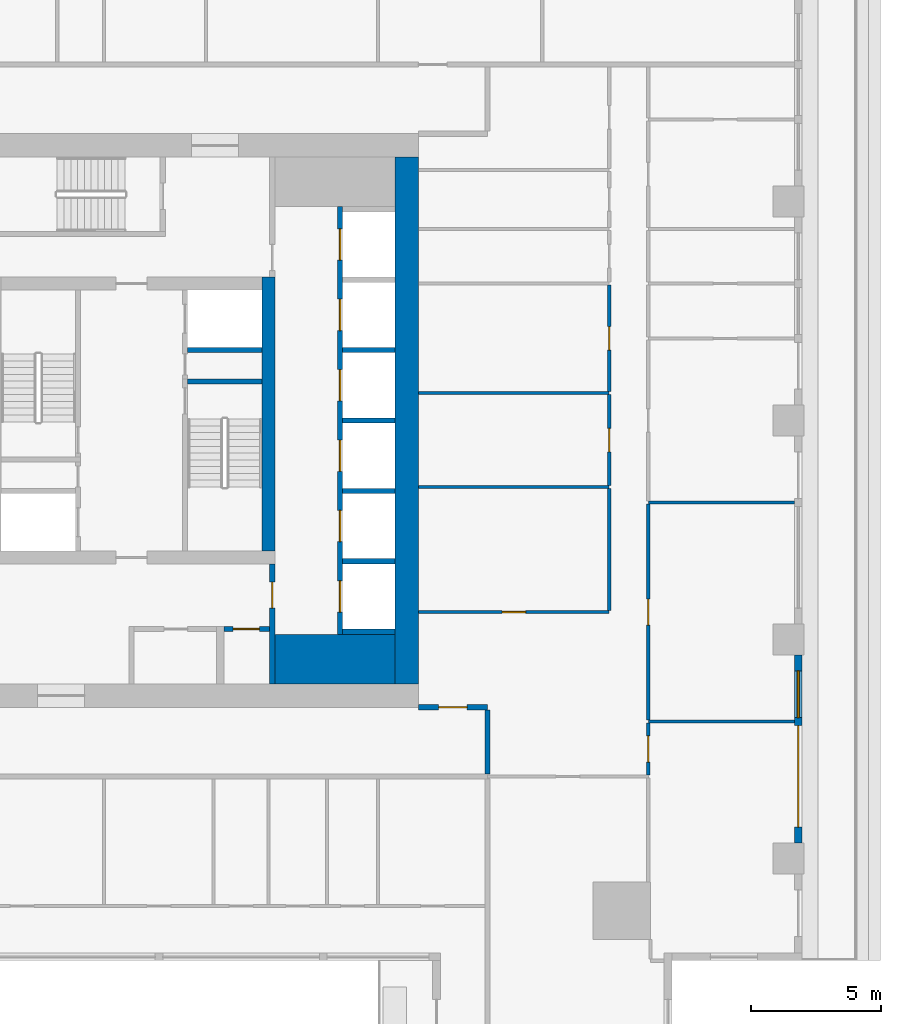
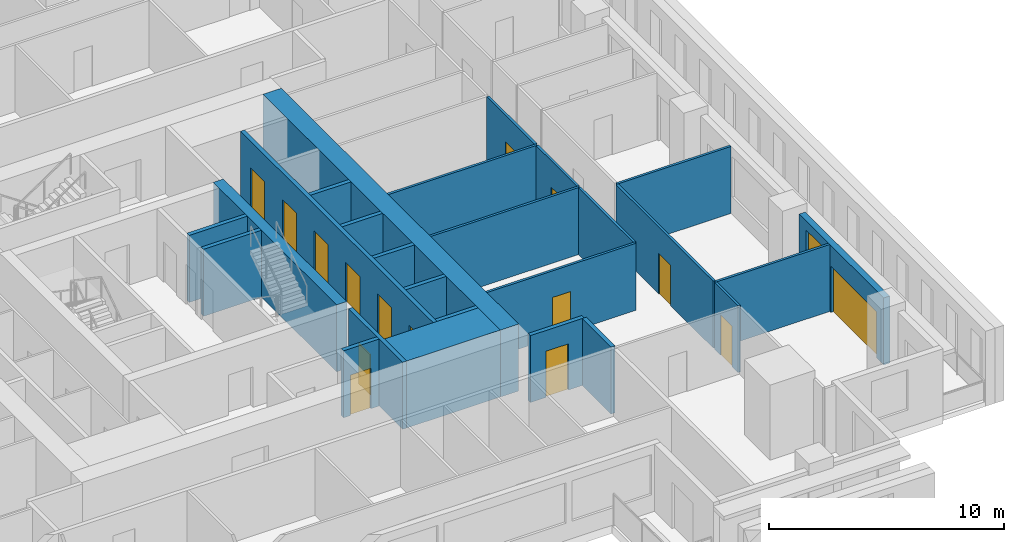
# One storey, part 5 of 14: 26 walls, 15 doors, 1 window, 16 openings.
"""IFC4 building model written with IfcOpenShell, lengths in metres."""

from ifc_helpers import new_model, si_unit, direction, frame, frame_2d, origin, place, context, subcontext, project, spatial, rectangle, extrude, material, layer, layer_set, type_object, element, fill, save


model = new_model("IFC4")

# Units and contexts
model_context = context("Model", 3, precision=1e-05, world=origin(), true_north=direction((0.0, 1.0)))
body_context = subcontext(model_context, "Body", "Model", "MODEL_VIEW")
ifc_project = project(units=[si_unit("LENGTHUNIT", "METRE"), si_unit("AREAUNIT", "SQUARE_METRE"), si_unit("VOLUMEUNIT", "CUBIC_METRE"), si_unit("PLANEANGLEUNIT", "RADIAN"), si_unit("MASSUNIT", "GRAM", prefix="KILO")], contexts=[model_context])

# Site, building, storey
site_placement = place(None, origin())
site = spatial("IfcSite", under=ifc_project, at=site_placement, CompositionType="ELEMENT")
building_placement = place(site_placement, origin())
building = spatial("IfcBuilding", under=site, at=building_placement, Name="Khepri Terraces", CompositionType="ELEMENT")
storey_placement = place(building_placement, frame((0.0, 0.0, 271.800048828125)))
storey = spatial("IfcBuildingStorey", under=building, at=storey_placement, Name="L65", CompositionType="ELEMENT", Elevation=271.800048828125)

# Walls
ifc_material_1 = material(Name="Concrete C40/50", Category="concrete")
ifc_layer_1 = layer(ifc_material_1, 1.89990234375, Name="Concrete C40/50", Category="concrete")
ifc_layer_set_1 = layer_set([ifc_layer_1], Name="Concrete C40/50")
wall_type_1 = type_object("IfcWallType", Name="Core wall 1900 C40/50", PredefinedType="SHEAR", material=ifc_layer_set_1)
wall_1_placement = place(storey_placement, frame((5.5, -9.14990234375, 0.0), z_axis=(0.0, 0.0, 1.0), x_axis=(1.0, 0.0, 0.0)))
element("IfcWall", 1, at=wall_1_placement, inside=storey, type_object=wall_type_1, Name="Core wall PR02 L65", PredefinedType="SHEAR", context=body_context, shape_type="SweptSolid", body=[
    extrude(rectangle(XDim=4.60009765625, YDim=1.89990234375, at=frame_2d((2.300048828125, 0.0))), origin(), (0.0, 0.0, 1.0), 3.47998046875),
])
ifc_layer_2 = layer(ifc_material_1, 0.199951171875, Name="Concrete C40/50", Category="concrete")
ifc_layer_set_2 = layer_set([ifc_layer_2], Name="Concrete C40/50")
wall_type_2 = type_object("IfcWallType", Name="Core wall 200 C40/50", PredefinedType="SHEAR", material=ifc_layer_set_2)
wall_2_placement = place(storey_placement, frame((2.14990234375, 1.5, 0.0), z_axis=(0.0, 0.0, 1.0), x_axis=(1.0, 0.0, 0.0)))
element("IfcWall", 2, at=wall_2_placement, inside=storey, type_object=wall_type_2, Name="Core wall ST04 L65", PredefinedType="SHEAR", context=body_context, shape_type="SweptSolid", body=[
    extrude(rectangle(XDim=2.85009765625, YDim=0.199951171875, at=frame_2d((1.425048828125, 0.0))), origin(), (0.0, 0.0, 1.0), 3.47998046875),
])

# Wall, openings, doors
wall_3_placement = place(storey_placement, frame((8.0, -8.199951171875, 0.0), z_axis=(0.0, 0.0, 1.0), x_axis=(0.0, 1.0, 0.0)))
wall_3 = element("IfcWall", 3, at=wall_3_placement, inside=storey, type_object=wall_type_2, Name="Core wall SH02 L65", PredefinedType="SHEAR", context=body_context, shape_type="SweptSolid", body=[
    extrude(rectangle(XDim=16.39990234375, YDim=0.199951171875, at=frame_2d((8.199951171875, 0.0))), origin(), (0.0, 0.0, 1.0), 3.47998046875),
])
opening_1_placement = place(wall_3_placement, frame((0.85009765625, 0.0, 0.0)))
opening_1 = element("IfcOpeningElement", 4, at=opening_1_placement, cuts=wall_3, Name="Opening L65-C01", PredefinedType="OPENING", context=body_context, shape_type="SweptSolid", body=[
    extrude(rectangle(XDim=1.199951171875, YDim=2.10009765625, at=frame_2d((0.60009765625, 1.050048828125))), frame((0.0, 0.10986328125, 0.0), z_axis=(0.0, -1.0, 0.0), x_axis=(1.0, 0.0, 0.0)), (0.0, 0.0, 1.0), 0.219970703125),
])
opening_2_placement = place(wall_3_placement, frame((3.550048828125, 0.0, 0.0)))
opening_2 = element("IfcOpeningElement", 5, at=opening_2_placement, cuts=wall_3, Name="Opening L65-C02", PredefinedType="OPENING", context=body_context, shape_type="SweptSolid", body=[
    extrude(rectangle(XDim=1.199951171875, YDim=2.10009765625, at=frame_2d((0.60009765625, 1.050048828125))), frame((0.0, 0.10986328125, 0.0), z_axis=(0.0, -1.0, 0.0), x_axis=(1.0, 0.0, 0.0)), (0.0, 0.0, 1.0), 0.219970703125),
])
opening_3_placement = place(wall_3_placement, frame((6.25, 0.0, 0.0)))
opening_3 = element("IfcOpeningElement", 6, at=opening_3_placement, cuts=wall_3, Name="Opening L65-C03", PredefinedType="OPENING", context=body_context, shape_type="SweptSolid", body=[
    extrude(rectangle(XDim=1.199951171875, YDim=2.10009765625, at=frame_2d((0.60009765625, 1.050048828125))), frame((0.0, 0.10986328125, 0.0), z_axis=(0.0, -1.0, 0.0), x_axis=(1.0, 0.0, 0.0)), (0.0, 0.0, 1.0), 0.219970703125),
])
opening_4_placement = place(wall_3_placement, frame((8.949951171875, 0.0, 0.0)))
opening_4 = element("IfcOpeningElement", 7, at=opening_4_placement, cuts=wall_3, Name="Opening L65-C04", PredefinedType="OPENING", context=body_context, shape_type="SweptSolid", body=[
    extrude(rectangle(XDim=1.199951171875, YDim=2.10009765625, at=frame_2d((0.60009765625, 1.050048828125))), frame((0.0, 0.10986328125, 0.0), z_axis=(0.0, -1.0, 0.0), x_axis=(1.0, 0.0, 0.0)), (0.0, 0.0, 1.0), 0.219970703125),
])
opening_5_placement = place(wall_3_placement, frame((11.64990234375, 0.0, 0.0)))
opening_5 = element("IfcOpeningElement", 8, at=opening_5_placement, cuts=wall_3, Name="Opening L65-C05", PredefinedType="OPENING", context=body_context, shape_type="SweptSolid", body=[
    extrude(rectangle(XDim=1.199951171875, YDim=2.10009765625, at=frame_2d((0.60009765625, 1.050048828125))), frame((0.0, 0.10986328125, 0.0), z_axis=(0.0, -1.0, 0.0), x_axis=(1.0, 0.0, 0.0)), (0.0, 0.0, 1.0), 0.219970703125),
])
opening_6_placement = place(wall_3_placement, frame((14.35009765625, 0.0, 0.0)))
opening_6 = element("IfcOpeningElement", 9, at=opening_6_placement, cuts=wall_3, Name="Opening L65-C06", PredefinedType="OPENING", context=body_context, shape_type="SweptSolid", body=[
    extrude(rectangle(XDim=1.199951171875, YDim=2.10009765625, at=frame_2d((0.60009765625, 1.050048828125))), frame((0.0, 0.10986328125, 0.0), z_axis=(0.0, -1.0, 0.0), x_axis=(1.0, 0.0, 0.0)), (0.0, 0.0, 1.0), 0.219970703125),
])
ifc_material_2 = material(Name="Stainless steel 304", Category="steel")
door_type_1 = type_object("IfcDoorType", Name="DR-CORE-LANDING-1200", OperationType="NOTDEFINED", PredefinedType="DOOR", material=ifc_material_2)
door_1_placement = place(opening_1_placement, origin())
door_1 = element("IfcDoor", 10, at=door_1_placement, inside=storey, type_object=door_type_1, Name="Lift landing door L65-C01", OperationType="SLIDING_TO_LEFT", OverallHeight=2.10009765625, OverallWidth=1.199951171875, PredefinedType="DOOR", context=body_context, shape_type="SweptSolid", body=[
    extrude(rectangle(XDim=1.199951171875, YDim=2.10009765625, at=frame_2d((0.60009765625, 1.050048828125))), frame((0.0, 0.02490234375, 0.0), z_axis=(0.0, -1.0, 0.0), x_axis=(1.0, 0.0, 0.0)), (0.0, 0.0, 1.0), 0.050048828125),
])
fill(opening_1, door_1)
door_2_placement = place(opening_2_placement, origin())
door_2 = element("IfcDoor", 11, at=door_2_placement, inside=storey, type_object=door_type_1, Name="Lift landing door L65-C02", OperationType="SLIDING_TO_LEFT", OverallHeight=2.10009765625, OverallWidth=1.199951171875, PredefinedType="DOOR", context=body_context, shape_type="SweptSolid", body=[
    extrude(rectangle(XDim=1.199951171875, YDim=2.10009765625, at=frame_2d((0.60009765625, 1.050048828125))), frame((0.0, 0.02490234375, 0.0), z_axis=(0.0, -1.0, 0.0), x_axis=(1.0, 0.0, 0.0)), (0.0, 0.0, 1.0), 0.050048828125),
])
fill(opening_2, door_2)
door_3_placement = place(opening_3_placement, origin())
door_3 = element("IfcDoor", 12, at=door_3_placement, inside=storey, type_object=door_type_1, Name="Lift landing door L65-C03", OperationType="SLIDING_TO_LEFT", OverallHeight=2.10009765625, OverallWidth=1.199951171875, PredefinedType="DOOR", context=body_context, shape_type="SweptSolid", body=[
    extrude(rectangle(XDim=1.199951171875, YDim=2.10009765625, at=frame_2d((0.60009765625, 1.050048828125))), frame((0.0, 0.02490234375, 0.0), z_axis=(0.0, -1.0, 0.0), x_axis=(1.0, 0.0, 0.0)), (0.0, 0.0, 1.0), 0.050048828125),
])
fill(opening_3, door_3)
door_4_placement = place(opening_4_placement, origin())
door_4 = element("IfcDoor", 13, at=door_4_placement, inside=storey, type_object=door_type_1, Name="Lift landing door L65-C04", OperationType="SLIDING_TO_LEFT", OverallHeight=2.10009765625, OverallWidth=1.199951171875, PredefinedType="DOOR", context=body_context, shape_type="SweptSolid", body=[
    extrude(rectangle(XDim=1.199951171875, YDim=2.10009765625, at=frame_2d((0.60009765625, 1.050048828125))), frame((0.0, 0.02490234375, 0.0), z_axis=(0.0, -1.0, 0.0), x_axis=(1.0, 0.0, 0.0)), (0.0, 0.0, 1.0), 0.050048828125),
])
fill(opening_4, door_4)
door_5_placement = place(opening_5_placement, origin())
door_5 = element("IfcDoor", 14, at=door_5_placement, inside=storey, type_object=door_type_1, Name="Lift landing door L65-C05", OperationType="SLIDING_TO_LEFT", OverallHeight=2.10009765625, OverallWidth=1.199951171875, PredefinedType="DOOR", context=body_context, shape_type="SweptSolid", body=[
    extrude(rectangle(XDim=1.199951171875, YDim=2.10009765625, at=frame_2d((0.60009765625, 1.050048828125))), frame((0.0, 0.02490234375, 0.0), z_axis=(0.0, -1.0, 0.0), x_axis=(1.0, 0.0, 0.0)), (0.0, 0.0, 1.0), 0.050048828125),
])
fill(opening_5, door_5)
door_6_placement = place(opening_6_placement, origin())
door_6 = element("IfcDoor", 15, at=door_6_placement, inside=storey, type_object=door_type_1, Name="Lift landing door L65-C06", OperationType="SLIDING_TO_LEFT", OverallHeight=2.10009765625, OverallWidth=1.199951171875, PredefinedType="DOOR", context=body_context, shape_type="SweptSolid", body=[
    extrude(rectangle(XDim=1.199951171875, YDim=2.10009765625, at=frame_2d((0.60009765625, 1.050048828125))), frame((0.0, 0.02490234375, 0.0), z_axis=(0.0, -1.0, 0.0), x_axis=(1.0, 0.0, 0.0)), (0.0, 0.0, 1.0), 0.050048828125),
])
fill(opening_6, door_6)

# Walls
for number, where, z_axis, x_axis, name in (
    (16, (8.10009765625, -8.10009765625, 0.0), (0.0, 0.0, 1.0), (1.0, 0.0, 0.0), "Core wall SH03 L65"),
    (17, (8.10009765625, -5.39990234375, 0.0), (0.0, 0.0, 1.0), (1.0, 0.0, 0.0), "Core wall SH04 L65"),
    (18, (8.10009765625, -2.699951171875, 0.0), (0.0, 0.0, 1.0), (1.0, 0.0, 0.0), "Core wall SH08 L65"),
    (19, (8.10009765625, 0.0, 0.0), (0.0, 0.0, 1.0), (1.0, 0.0, 0.0), "Core wall SH09 L65"),
):
    element("IfcWall", number, at=place(storey_placement, frame(where, z_axis=z_axis, x_axis=x_axis)), inside=storey, type_object=wall_type_2, Name=name, PredefinedType="SHEAR", context=body_context, shape_type="SweptSolid", body=[
        extrude(rectangle(XDim=2.0, YDim=0.199951171875, at=frame_2d((1.0, 0.0))), origin(), (0.0, 0.0, 1.0), 3.47998046875),
    ])
wall_4_placement = place(storey_placement, frame((2.14990234375, 2.699951171875, 0.0), z_axis=(0.0, 0.0, 1.0), x_axis=(1.0, 0.0, 0.0)))
element("IfcWall", 20, at=wall_4_placement, inside=storey, type_object=wall_type_2, Name="Core wall SH12 L65", PredefinedType="SHEAR", context=body_context, shape_type="SweptSolid", body=[
    extrude(rectangle(XDim=2.85009765625, YDim=0.199951171875, at=frame_2d((1.425048828125, 0.0))), origin(), (0.0, 0.0, 1.0), 3.47998046875),
])
wall_5_placement = place(storey_placement, frame((8.10009765625, 2.699951171875, 0.0), z_axis=(0.0, 0.0, 1.0), x_axis=(1.0, 0.0, 0.0)))
element("IfcWall", 21, at=wall_5_placement, inside=storey, type_object=wall_type_2, Name="Core wall SH13 L65", PredefinedType="SHEAR", context=body_context, shape_type="SweptSolid", body=[
    extrude(rectangle(XDim=2.0, YDim=0.199951171875, at=frame_2d((1.0, 0.0))), origin(), (0.0, 0.0, 1.0), 3.47998046875),
])
ifc_layer_3 = layer(ifc_material_1, 0.5, Name="Concrete C40/50", Category="concrete")
ifc_layer_set_3 = layer_set([ifc_layer_3], Name="Concrete C40/50")
wall_type_3 = type_object("IfcWallType", Name="Core wall 500 C40/50", PredefinedType="SHEAR", material=ifc_layer_set_3)
wall_6_placement = place(storey_placement, frame((5.25, -5.0, 0.0), z_axis=(0.0, 0.0, 1.0), x_axis=(0.0, 1.0, 0.0)))
element("IfcWall", 22, at=wall_6_placement, inside=storey, type_object=wall_type_3, Name="Core wall BX03 L65", PredefinedType="SHEAR", context=body_context, shape_type="SweptSolid", body=[
    extrude(rectangle(XDim=10.5, YDim=0.5, at=frame_2d((5.25, 0.0))), origin(), (0.0, 0.0, 1.0), 3.47998046875),
])
ifc_layer_4 = layer(ifc_material_1, 0.89990234375, Name="Concrete C40/50", Category="concrete")
ifc_layer_set_4 = layer_set([ifc_layer_4], Name="Concrete C40/50")
wall_type_4 = type_object("IfcWallType", Name="Core wall 900 C40/50", PredefinedType="SHEAR", material=ifc_layer_set_4)
wall_7_placement = place(storey_placement, frame((10.550048828125, -10.10009765625, 0.0), z_axis=(0.0, 0.0, 1.0), x_axis=(0.0, 1.0, 0.0)))
element("IfcWall", 23, at=wall_7_placement, inside=storey, type_object=wall_type_4, Name="Core wall OW-E L65", PredefinedType="SHEAR", context=body_context, shape_type="SweptSolid", body=[
    extrude(rectangle(XDim=20.2001953125, YDim=0.89990234375, at=frame_2d((10.10009765625, 0.0))), origin(), (0.0, 0.0, 1.0), 3.47998046875),
])

# Wall, opening, door
ifc_material_3 = material(Name="Fire-rated gypsum board partition")
ifc_layer_5 = layer(ifc_material_3, 0.199951171875, Name="Fire-rated gypsum board partition")
ifc_layer_set_5 = layer_set([ifc_layer_5], Name="Fire-rated gypsum board partition")
wall_type_5 = type_object("IfcWallType", Name="WL-CORE-PART-200", PredefinedType="PARTITIONING", material=ifc_layer_set_5)
wall_8_placement = place(storey_placement, frame((5.39990234375, -10.10009765625, 0.0), z_axis=(0.0, 0.0, 1.0), x_axis=(0.0, 1.0, 0.0)))
wall_8 = element("IfcWall", 24, at=wall_8_placement, inside=storey, type_object=wall_type_5, Name="Core partition PT04 L65", PredefinedType="PARTITIONING", context=body_context, shape_type="SweptSolid", body=[
    extrude(rectangle(XDim=4.60009765625, YDim=0.199951171875, at=frame_2d((2.300048828125, 0.0))), origin(), (0.0, 0.0, 1.0), 3.47998046875),
])
opening_7_placement = place(wall_8_placement, frame((2.89990234375, 0.0, 0.0)))
opening_7 = element("IfcOpeningElement", 25, at=opening_7_placement, cuts=wall_8, Name="Opening L65-C19", PredefinedType="OPENING", context=body_context, shape_type="SweptSolid", body=[
    extrude(rectangle(XDim=1.0, YDim=2.10009765625, at=frame_2d((0.5, 1.050048828125))), frame((0.0, 0.10986328125, 0.0), z_axis=(0.0, -1.0, 0.0), x_axis=(1.0, 0.0, 0.0)), (0.0, 0.0, 1.0), 0.219970703125),
])
ifc_material_4 = material(Name="Painted steel", Category="steel")
door_type_2 = type_object("IfcDoorType", Name="DR-CORE-LOBBY-1000", OperationType="NOTDEFINED", PredefinedType="DOOR", material=ifc_material_4)
door_7_placement = place(opening_7_placement, origin())
door_7 = element("IfcDoor", 26, at=door_7_placement, inside=storey, type_object=door_type_2, Name="Lobby door L65-C19", OperationType="SINGLE_SWING_RIGHT", OverallHeight=2.10009765625, OverallWidth=1.0, PredefinedType="DOOR", context=body_context, shape_type="SweptSolid", body=[
    extrude(rectangle(XDim=1.0, YDim=2.10009765625, at=frame_2d((0.5, 1.050048828125))), frame((0.0, 0.02490234375, 0.0), z_axis=(0.0, -1.0, 0.0), x_axis=(1.0, 0.0, 0.0)), (0.0, 0.0, 1.0), 0.050048828125),
])
fill(opening_7, door_7)

wall_9_placement = place(storey_placement, frame((3.550048828125, -8.0, 0.0), z_axis=(0.0, 0.0, 1.0), x_axis=(1.0, 0.0, 0.0)))
wall_9 = element("IfcWall", 27, at=wall_9_placement, inside=storey, type_object=wall_type_5, Name="Core partition PT07 L65", PredefinedType="PARTITIONING", context=body_context, shape_type="SweptSolid", body=[
    extrude(rectangle(XDim=1.75, YDim=0.199951171875, at=frame_2d((0.875, 0.0))), origin(), (0.0, 0.0, 1.0), 3.47998046875),
])
opening_8_placement = place(wall_9_placement, frame((0.35009765625, 0.0, 0.0)))
opening_8 = element("IfcOpeningElement", 28, at=opening_8_placement, cuts=wall_9, Name="Opening L65-C23", PredefinedType="OPENING", context=body_context, shape_type="SweptSolid", body=[
    extrude(rectangle(XDim=1.0, YDim=2.10009765625, at=frame_2d((0.5, 1.050048828125))), frame((0.0, 0.10986328125, 0.0), z_axis=(0.0, -1.0, 0.0), x_axis=(1.0, 0.0, 0.0)), (0.0, 0.0, 1.0), 0.219970703125),
])
ifc_material_5 = material(Name="Timber veneer", Category="wood")
door_type_3 = type_object("IfcDoorType", Name="DR-CORE-WC-1000", OperationType="NOTDEFINED", PredefinedType="DOOR", material=ifc_material_5)
door_8_placement = place(opening_8_placement, frame((1.0, 0.0, 0.0), z_axis=(0.0, 0.0, 1.0), x_axis=(-1.0, 0.0, 0.0)))
door_8 = element("IfcDoor", 29, at=door_8_placement, inside=storey, type_object=door_type_3, Name="WC door L65-C23", OperationType="SINGLE_SWING_RIGHT", OverallHeight=2.10009765625, OverallWidth=1.0, PredefinedType="DOOR", context=body_context, shape_type="SweptSolid", body=[
    extrude(rectangle(XDim=1.0, YDim=2.10009765625, at=frame_2d((0.5, 1.050048828125))), frame((0.0, 0.02490234375, 0.0), z_axis=(0.0, -1.0, 0.0), x_axis=(1.0, 0.0, 0.0)), (0.0, 0.0, 1.0), 0.050048828125),
])
fill(opening_8, door_8)

# Wall
ifc_material_6 = material(Name="Fire-rated gypsum plasterboard partition, mineral wool")
ifc_layer_6 = layer(ifc_material_6, 0.199951171875, Name="Fire-rated gypsum plasterboard partition, mineral wool")
ifc_layer_set_6 = layer_set([ifc_layer_6], Name="Fire-rated gypsum plasterboard partition, mineral wool")
wall_type_6 = type_object("IfcWallType", Name="WL-CORR-200", PredefinedType="PARTITIONING", material=ifc_layer_set_6)
wall_10_placement = place(storey_placement, frame((13.64990234375, -13.550048828125, 0.0), z_axis=(0.0, 0.0, 1.0), x_axis=(0.0, 1.0, 0.0)))
element("IfcWall", 30, at=wall_10_placement, inside=storey, type_object=wall_type_6, Name="Partition P-022 L65", PredefinedType="PARTITIONING", context=body_context, shape_type="SweptSolid", body=[
    extrude(rectangle(XDim=2.449951171875, YDim=0.199951171875, at=frame_2d((1.22509765625, 0.0))), origin(), (0.0, 0.0, 1.0), 3.47998046875),
])

# Wall, opening, door
wall_11_placement = place(storey_placement, frame((11.0, -11.0, 0.0), z_axis=(0.0, 0.0, 1.0), x_axis=(1.0, 0.0, 0.0)))
wall_11 = element("IfcWall", 31, at=wall_11_placement, inside=storey, type_object=wall_type_6, Name="Partition P-030 L65", PredefinedType="PARTITIONING", context=body_context, shape_type="SweptSolid", body=[
    extrude(rectangle(XDim=2.64990234375, YDim=0.199951171875, at=frame_2d((1.324951171875, 0.0))), origin(), (0.0, 0.0, 1.0), 3.47998046875),
])
opening_9_placement = place(wall_11_placement, frame((0.77490234375, 0.0, 0.0)))
opening_9 = element("IfcOpeningElement", 32, at=opening_9_placement, cuts=wall_11, Name="Opening D1", PredefinedType="OPENING", context=body_context, shape_type="SweptSolid", body=[
    extrude(rectangle(XDim=1.10009765625, YDim=2.39990234375, at=frame_2d((0.550048828125, 1.199951171875))), frame((0.0, 0.10986328125, 0.0), z_axis=(0.0, -1.0, 0.0), x_axis=(1.0, 0.0, 0.0)), (0.0, 0.0, 1.0), 0.219970703125),
])
ifc_material_7 = material(Name="Solid-core timber door leaf, flat entrance door", Category="wood")
door_type_4 = type_object("IfcDoorType", Name="DR-ENT-1100", OperationType="NOTDEFINED", PredefinedType="DOOR", material=ifc_material_7)
door_9_placement = place(opening_9_placement, origin())
door_9 = element("IfcDoor", 33, at=door_9_placement, inside=storey, type_object=door_type_4, Name="Flat B1 entrance door", OperationType="SINGLE_SWING_LEFT", OverallHeight=2.39990234375, OverallWidth=1.10009765625, PredefinedType="DOOR", context=body_context, shape_type="SweptSolid", body=[
    extrude(rectangle(XDim=1.10009765625, YDim=2.39990234375, at=frame_2d((0.550048828125, 1.199951171875))), frame((0.0, 0.02490234375, 0.0), z_axis=(0.0, -1.0, 0.0), x_axis=(1.0, 0.0, 0.0)), (0.0, 0.0, 1.0), 0.050048828125),
])
fill(opening_9, door_9)

# Wall, openings, door, window
ifc_material_8 = material(Name="Precast concrete C50/60 warm stone", Category="masonry")
ifc_layer_7 = layer(ifc_material_8, 0.300048828125, Name="Precast concrete C50/60 warm stone", Category="masonry")
ifc_layer_set_7 = layer_set([ifc_layer_7], Name="Precast concrete C50/60 warm stone")
wall_type_7 = type_object("IfcWallType", Name="WL-EXT-PRECAST-300", PredefinedType="STANDARD", material=ifc_layer_set_7)
wall_12_placement = place(storey_placement, frame((25.570068359375, -16.199951171875, 0.0), z_axis=(0.0, 0.0, 1.0), x_axis=(0.0, 1.0, 0.0)))
wall_12 = element("IfcWall", 34, at=wall_12_placement, inside=storey, type_object=wall_type_7, Name="External wall L65 E", PredefinedType="STANDARD", context=body_context, shape_type="SweptSolid", body=[
    extrude(rectangle(XDim=7.199951171875, YDim=0.300048828125, at=frame_2d((3.60009765625, 0.0))), origin(), (0.0, 0.0, 1.0), 3.47998046875),
])
opening_10_placement = place(wall_12_placement, frame((0.60009765625, 0.0, 0.0)))
opening_10 = element("IfcOpeningElement", 35, at=opening_10_placement, cuts=wall_12, Name="Opening ED-L65-02", PredefinedType="OPENING", context=body_context, shape_type="SweptSolid", body=[
    extrude(rectangle(XDim=3.89990234375, YDim=2.39990234375, at=frame_2d((1.949951171875, 1.199951171875))), frame((0.0, 0.16015625, 0.0), z_axis=(0.0, -1.0, 0.0), x_axis=(1.0, 0.0, 0.0)), (0.0, 0.0, 1.0), 0.320068359375),
])
opening_11_placement = place(wall_12_placement, frame((4.800048828125, 0.0, 0.89990234375)))
opening_11 = element("IfcOpeningElement", 36, at=opening_11_placement, cuts=wall_12, Name="Opening W1", PredefinedType="OPENING", context=body_context, shape_type="SweptSolid", body=[
    extrude(rectangle(XDim=1.800048828125, YDim=2.10009765625, at=frame_2d((0.89990234375, 1.050048828125))), frame((0.0, 0.16015625, 0.0), z_axis=(0.0, -1.0, 0.0), x_axis=(1.0, 0.0, 0.0)), (0.0, 0.0, 1.0), 0.320068359375),
])
ifc_material_9 = material(Name="Anodised aluminium bronze glazed door", Category="aluminium")
door_type_5 = type_object("IfcDoorType", Name="DR-BAL-SLIDE-3900x2400", OperationType="NOTDEFINED", PredefinedType="DOOR", material=ifc_material_9)
door_10_placement = place(opening_10_placement, origin())
door_10 = element("IfcDoor", 37, at=door_10_placement, inside=storey, type_object=door_type_5, Name="Balcony door L65 E", OperationType="SLIDING_TO_LEFT", OverallHeight=2.39990234375, OverallWidth=3.89990234375, PredefinedType="DOOR", context=body_context, shape_type="SweptSolid", body=[
    extrude(rectangle(XDim=3.89990234375, YDim=2.39990234375, at=frame_2d((1.949951171875, 1.199951171875))), frame((0.0, 0.02490234375, 0.0), z_axis=(0.0, -1.0, 0.0), x_axis=(1.0, 0.0, 0.0)), (0.0, 0.0, 1.0), 0.050048828125),
])
fill(opening_10, door_10)
ifc_material_10 = material(Name="Clear glass", Category="glass")
window_type = type_object("IfcWindowType", Name="WIN-RES-1800x2100", PartitioningType="SINGLE_PANEL", PredefinedType="WINDOW", material=ifc_material_10)
window_placement = place(opening_11_placement, origin())
window = element("IfcWindow", 38, at=window_placement, inside=storey, type_object=window_type, Name="Window L65 E", OverallHeight=2.10009765625, OverallWidth=1.800048828125, PartitioningType="SINGLE_PANEL", PredefinedType="WINDOW", context=body_context, shape_type="SweptSolid", body=[
    extrude(rectangle(XDim=1.800048828125, YDim=2.10009765625, at=frame_2d((0.89990234375, 1.050048828125))), frame((0.0, 0.030029296875, 0.0), z_axis=(0.0, -1.0, 0.0), x_axis=(1.0, 0.0, 0.0)), (0.0, 0.0, 1.0), 0.06005859375),
])
fill(opening_11, window)

# Wall, opening, door
ifc_material_11 = material(Name="Gypsum plasterboard partition")
ifc_layer_8 = layer(ifc_material_11, 0.1201171875, Name="Gypsum plasterboard partition")
ifc_layer_set_8 = layer_set([ifc_layer_8], Name="Gypsum plasterboard partition")
wall_type_8 = type_object("IfcWallType", Name="WL-PART-120", PredefinedType="PARTITIONING", material=ifc_layer_set_8)
wall_13_placement = place(storey_placement, frame((19.820068359375, -13.590087890625, 0.0), z_axis=(0.0, 0.0, 1.0), x_axis=(0.0, 1.0, 0.0)))
wall_13 = element("IfcWall", 39, at=wall_13_placement, inside=storey, type_object=wall_type_8, Name="Partition P-018 L65", PredefinedType="PARTITIONING", context=body_context, shape_type="SweptSolid", body=[
    extrude(rectangle(XDim=1.97998046875, YDim=0.1201171875, at=frame_2d((0.989990234375, 0.0))), origin(), (0.0, 0.0, 1.0), 3.47998046875),
])
opening_12_placement = place(wall_13_placement, frame((0.489990234375, 0.0, 0.0)))
opening_12 = element("IfcOpeningElement", 40, at=opening_12_placement, cuts=wall_13, Name="Opening D2", PredefinedType="OPENING", context=body_context, shape_type="SweptSolid", body=[
    extrude(rectangle(XDim=1.0, YDim=2.10009765625, at=frame_2d((0.5, 1.050048828125))), frame((0.0, 0.070068359375, 0.0), z_axis=(0.0, -1.0, 0.0), x_axis=(1.0, 0.0, 0.0)), (0.0, 0.0, 1.0), 0.14013671875),
])
ifc_material_12 = material(Name="Timber door leaf, living room door", Category="wood")
door_type_6 = type_object("IfcDoorType", Name="DR-INT-1000", OperationType="NOTDEFINED", PredefinedType="DOOR", material=ifc_material_12)
door_11_placement = place(opening_12_placement, frame((1.0, 0.0, 0.0), z_axis=(0.0, 0.0, 1.0), x_axis=(-1.0, 0.0, 0.0)))
door_11 = element("IfcDoor", 41, at=door_11_placement, inside=storey, type_object=door_type_6, Name="Door Living Room", OperationType="SINGLE_SWING_RIGHT", OverallHeight=2.10009765625, OverallWidth=1.0, PredefinedType="DOOR", context=body_context, shape_type="SweptSolid", body=[
    extrude(rectangle(XDim=1.0, YDim=2.10009765625, at=frame_2d((0.5, 1.050048828125))), frame((0.0, 0.02490234375, 0.0), z_axis=(0.0, -1.0, 0.0), x_axis=(1.0, 0.0, 0.0)), (0.0, 0.0, 1.0), 0.050048828125),
])
fill(opening_12, door_11)

# Wall
wall_14_placement = place(storey_placement, frame((19.820068359375, -11.550048828125, 0.0), z_axis=(0.0, 0.0, 1.0), x_axis=(1.0, 0.0, 0.0)))
element("IfcWall", 42, at=wall_14_placement, inside=storey, type_object=wall_type_8, Name="Partition P-025 L65", PredefinedType="PARTITIONING", context=body_context, shape_type="SweptSolid", body=[
    extrude(rectangle(XDim=5.599853515625, YDim=0.1201171875, at=frame_2d((2.7998046875, 0.0))), origin(), (0.0, 0.0, 1.0), 3.47998046875),
])

# Wall, opening, door
wall_15_placement = place(storey_placement, frame((19.820068359375, -11.489990234375, 0.0), z_axis=(0.0, 0.0, 1.0), x_axis=(0.0, 1.0, 0.0)))
wall_15 = element("IfcWall", 43, at=wall_15_placement, inside=storey, type_object=wall_type_8, Name="Partition P-028 L65", PredefinedType="PARTITIONING", context=body_context, shape_type="SweptSolid", body=[
    extrude(rectangle(XDim=8.280029296875, YDim=0.1201171875, at=frame_2d((4.14013671875, 0.0))), origin(), (0.0, 0.0, 1.0), 3.47998046875),
])
opening_13_placement = place(wall_15_placement, frame((3.639892578125, 0.0, 0.0)))
opening_13 = element("IfcOpeningElement", 44, at=opening_13_placement, cuts=wall_15, Name="Opening D2", PredefinedType="OPENING", context=body_context, shape_type="SweptSolid", body=[
    extrude(rectangle(XDim=1.0, YDim=2.10009765625, at=frame_2d((0.5, 1.050048828125))), frame((0.0, 0.070068359375, 0.0), z_axis=(0.0, -1.0, 0.0), x_axis=(1.0, 0.0, 0.0)), (0.0, 0.0, 1.0), 0.14013671875),
])
door_12_placement = place(opening_13_placement, frame((1.0, 0.0, 0.0), z_axis=(0.0, 0.0, 1.0), x_axis=(-1.0, 0.0, 0.0)))
door_12 = element("IfcDoor", 45, at=door_12_placement, inside=storey, type_object=door_type_6, Name="Door Dining Room", OperationType="SINGLE_SWING_RIGHT", OverallHeight=2.10009765625, OverallWidth=1.0, PredefinedType="DOOR", context=body_context, shape_type="SweptSolid", body=[
    extrude(rectangle(XDim=1.0, YDim=2.10009765625, at=frame_2d((0.5, 1.050048828125))), frame((0.0, 0.02490234375, 0.0), z_axis=(0.0, -1.0, 0.0), x_axis=(1.0, 0.0, 0.0)), (0.0, 0.0, 1.0), 0.050048828125),
])
fill(opening_13, door_12)

wall_16_placement = place(storey_placement, frame((11.0, -7.35009765625, 0.0), z_axis=(0.0, 0.0, 1.0), x_axis=(1.0, 0.0, 0.0)))
wall_16 = element("IfcWall", 46, at=wall_16_placement, inside=storey, type_object=wall_type_8, Name="Partition P-032 L65", PredefinedType="PARTITIONING", context=body_context, shape_type="SweptSolid", body=[
    extrude(rectangle(XDim=7.320068359375, YDim=0.1201171875, at=frame_2d((3.66015625, 0.0))), origin(), (0.0, 0.0, 1.0), 3.47998046875),
])
opening_14_placement = place(wall_16_placement, frame((3.2099609375, 0.0, 0.0)))
opening_14 = element("IfcOpeningElement", 47, at=opening_14_placement, cuts=wall_16, Name="Opening D3", PredefinedType="OPENING", context=body_context, shape_type="SweptSolid", body=[
    extrude(rectangle(XDim=0.89990234375, YDim=2.10009765625, at=frame_2d((0.449951171875, 1.050048828125))), frame((0.0, 0.070068359375, 0.0), z_axis=(0.0, -1.0, 0.0), x_axis=(1.0, 0.0, 0.0)), (0.0, 0.0, 1.0), 0.14013671875),
])
ifc_material_13 = material(Name="Timber door leaf", Category="wood")
door_type_7 = type_object("IfcDoorType", Name="DR-INT-900", OperationType="NOTDEFINED", PredefinedType="DOOR", material=ifc_material_13)
door_13_placement = place(opening_14_placement, origin())
door_13 = element("IfcDoor", 48, at=door_13_placement, inside=storey, type_object=door_type_7, Name="Door Kitchen", OperationType="SINGLE_SWING_RIGHT", OverallHeight=2.10009765625, OverallWidth=0.89990234375, PredefinedType="DOOR", context=body_context, shape_type="SweptSolid", body=[
    extrude(rectangle(XDim=0.89990234375, YDim=2.10009765625, at=frame_2d((0.449951171875, 1.050048828125))), frame((0.0, 0.02490234375, 0.0), z_axis=(0.0, -1.0, 0.0), x_axis=(1.0, 0.0, 0.0)), (0.0, 0.0, 1.0), 0.050048828125),
])
fill(opening_14, door_13)

# Walls
wall_17_placement = place(storey_placement, frame((18.320068359375, -7.2900390625, 0.0), z_axis=(0.0, 0.0, 1.0), x_axis=(0.0, 1.0, 0.0)))
element("IfcWall", 49, at=wall_17_placement, inside=storey, type_object=wall_type_8, Name="Partition P-034 L65", PredefinedType="PARTITIONING", context=body_context, shape_type="SweptSolid", body=[
    extrude(rectangle(XDim=4.679931640625, YDim=0.1201171875, at=frame_2d((2.33984375, 0.0))), origin(), (0.0, 0.0, 1.0), 3.47998046875),
])
wall_18_placement = place(storey_placement, frame((19.820068359375, -3.14990234375, 0.0), z_axis=(0.0, 0.0, 1.0), x_axis=(1.0, 0.0, 0.0)))
element("IfcWall", 50, at=wall_18_placement, inside=storey, type_object=wall_type_8, Name="Partition P-041 L65", PredefinedType="PARTITIONING", context=body_context, shape_type="SweptSolid", body=[
    extrude(rectangle(XDim=5.599853515625, YDim=0.1201171875, at=frame_2d((2.7998046875, 0.0))), origin(), (0.0, 0.0, 1.0), 3.47998046875),
])
wall_19_placement = place(storey_placement, frame((11.0, -2.550048828125, 0.0), z_axis=(0.0, 0.0, 1.0), x_axis=(1.0, 0.0, 0.0)))
element("IfcWall", 51, at=wall_19_placement, inside=storey, type_object=wall_type_8, Name="Partition P-043 L65", PredefinedType="PARTITIONING", context=body_context, shape_type="SweptSolid", body=[
    extrude(rectangle(XDim=7.320068359375, YDim=0.1201171875, at=frame_2d((3.66015625, 0.0))), origin(), (0.0, 0.0, 1.0), 3.47998046875),
])

# Wall, opening, door
wall_20_placement = place(storey_placement, frame((18.320068359375, -2.489990234375, 0.0), z_axis=(0.0, 0.0, 1.0), x_axis=(0.0, 1.0, 0.0)))
wall_20 = element("IfcWall", 52, at=wall_20_placement, inside=storey, type_object=wall_type_8, Name="Partition P-044 L65", PredefinedType="PARTITIONING", context=body_context, shape_type="SweptSolid", body=[
    extrude(rectangle(XDim=3.47998046875, YDim=0.1201171875, at=frame_2d((1.739990234375, 0.0))), origin(), (0.0, 0.0, 1.0), 3.47998046875),
])
opening_15_placement = place(wall_20_placement, frame((1.2900390625, 0.0, 0.0)))
opening_15 = element("IfcOpeningElement", 53, at=opening_15_placement, cuts=wall_20, Name="Opening D3", PredefinedType="OPENING", context=body_context, shape_type="SweptSolid", body=[
    extrude(rectangle(XDim=0.89990234375, YDim=2.10009765625, at=frame_2d((0.449951171875, 1.050048828125))), frame((0.0, 0.070068359375, 0.0), z_axis=(0.0, -1.0, 0.0), x_axis=(1.0, 0.0, 0.0)), (0.0, 0.0, 1.0), 0.14013671875),
])
door_14_placement = place(opening_15_placement, origin())
door_14 = element("IfcDoor", 54, at=door_14_placement, inside=storey, type_object=door_type_7, Name="Door Utility Room", OperationType="SINGLE_SWING_RIGHT", OverallHeight=2.10009765625, OverallWidth=0.89990234375, PredefinedType="DOOR", context=body_context, shape_type="SweptSolid", body=[
    extrude(rectangle(XDim=0.89990234375, YDim=2.10009765625, at=frame_2d((0.449951171875, 1.050048828125))), frame((0.0, 0.02490234375, 0.0), z_axis=(0.0, -1.0, 0.0), x_axis=(1.0, 0.0, 0.0)), (0.0, 0.0, 1.0), 0.050048828125),
])
fill(opening_15, door_14)

# Wall
wall_21_placement = place(storey_placement, frame((11.0, 1.050048828125, 0.0), z_axis=(0.0, 0.0, 1.0), x_axis=(1.0, 0.0, 0.0)))
element("IfcWall", 55, at=wall_21_placement, inside=storey, type_object=wall_type_8, Name="Partition P-050 L65", PredefinedType="PARTITIONING", context=body_context, shape_type="SweptSolid", body=[
    extrude(rectangle(XDim=7.320068359375, YDim=0.1201171875, at=frame_2d((3.66015625, 0.0))), origin(), (0.0, 0.0, 1.0), 3.47998046875),
])

# Wall, opening, door
wall_22_placement = place(storey_placement, frame((18.320068359375, 1.110107421875, 0.0), z_axis=(0.0, 0.0, 1.0), x_axis=(0.0, 1.0, 0.0)))
wall_22 = element("IfcWall", 56, at=wall_22_placement, inside=storey, type_object=wall_type_8, Name="Partition P-052 L65", PredefinedType="PARTITIONING", context=body_context, shape_type="SweptSolid", body=[
    extrude(rectangle(XDim=4.079833984375, YDim=0.1201171875, at=frame_2d((2.0400390625, 0.0))), origin(), (0.0, 0.0, 1.0), 3.47998046875),
])
opening_16_placement = place(wall_22_placement, frame((1.590087890625, 0.0, 0.0)))
opening_16 = element("IfcOpeningElement", 57, at=opening_16_placement, cuts=wall_22, Name="Opening D3", PredefinedType="OPENING", context=body_context, shape_type="SweptSolid", body=[
    extrude(rectangle(XDim=0.89990234375, YDim=2.10009765625, at=frame_2d((0.449951171875, 1.050048828125))), frame((0.0, 0.070068359375, 0.0), z_axis=(0.0, -1.0, 0.0), x_axis=(1.0, 0.0, 0.0)), (0.0, 0.0, 1.0), 0.14013671875),
])
door_15_placement = place(opening_16_placement, origin())
door_15 = element("IfcDoor", 58, at=door_15_placement, inside=storey, type_object=door_type_7, Name="Door Staff Bedroom", OperationType="SINGLE_SWING_RIGHT", OverallHeight=2.10009765625, OverallWidth=0.89990234375, PredefinedType="DOOR", context=body_context, shape_type="SweptSolid", body=[
    extrude(rectangle(XDim=0.89990234375, YDim=2.10009765625, at=frame_2d((0.449951171875, 1.050048828125))), frame((0.0, 0.02490234375, 0.0), z_axis=(0.0, -1.0, 0.0), x_axis=(1.0, 0.0, 0.0)), (0.0, 0.0, 1.0), 0.050048828125),
])
fill(opening_16, door_15)

save(model, "model.ifc")
